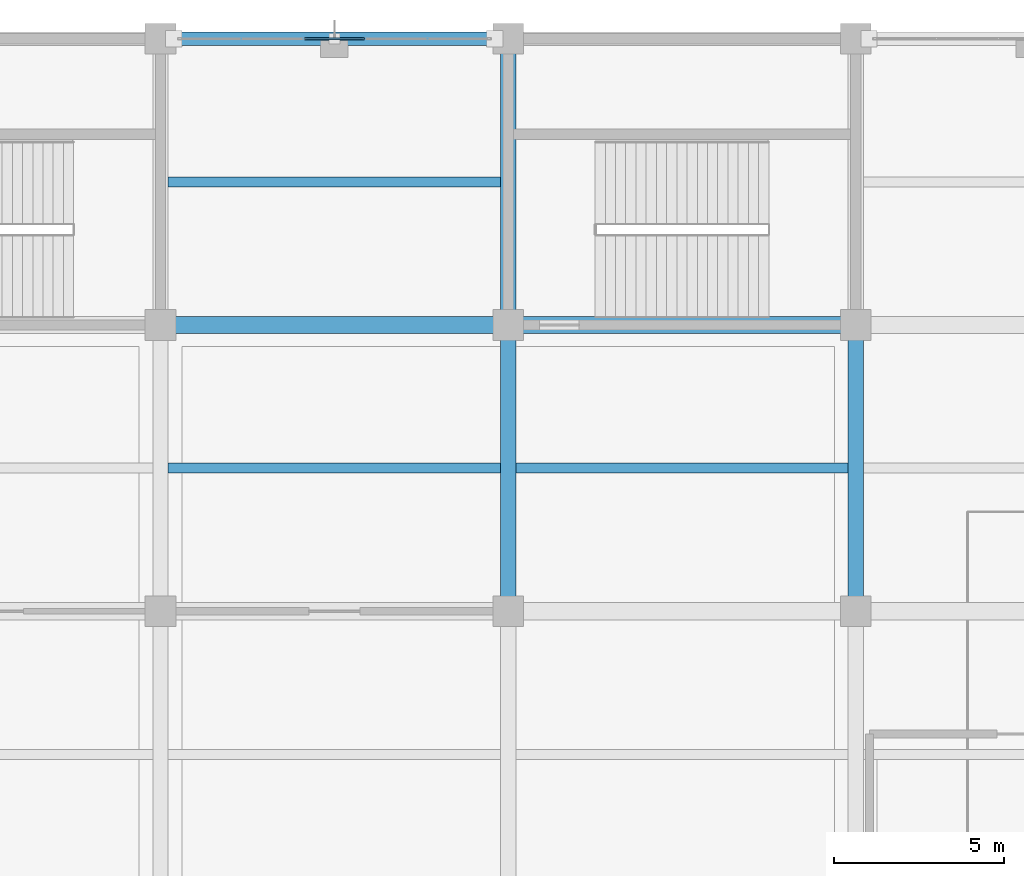
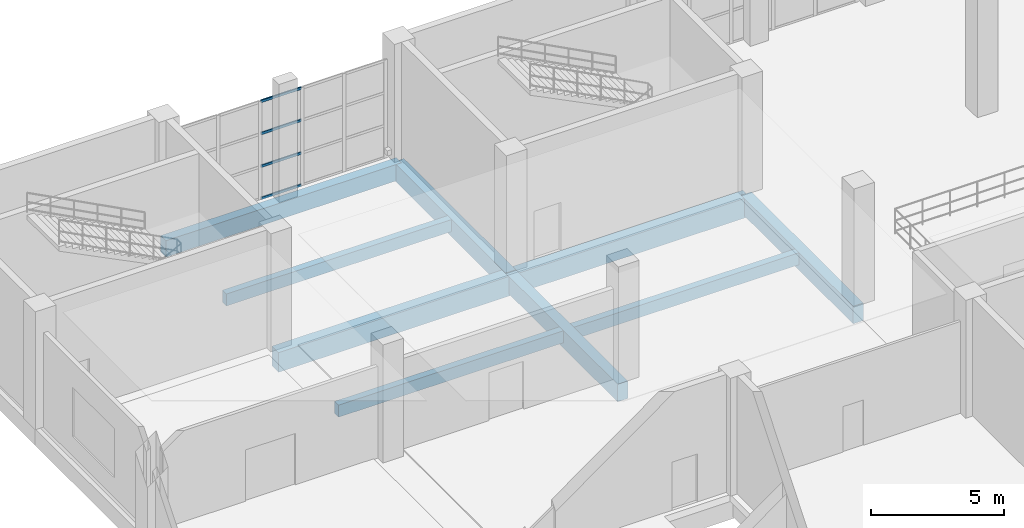
# One storey, part 85 of 175: 9 beams, 4 members, 1 element without a shape of its own.
"""IFC4 building model written with IfcOpenShell, lengths in metres."""

from ifc_helpers import new_model, si_unit, direction, frame, origin, origin_2d, place, context, subcontext, project, spatial, rectangle, hollow_rectangle, extrude, material, material_profile, profile_set, type_object, element, aggregate, save


model = new_model("IFC4")

# Units and contexts
model_context = context("Model", 3, precision=1e-05, world=origin(), true_north=direction((0.0, 1.0)))
body_context = subcontext(model_context, "Body", "Model", "MODEL_VIEW")
ifc_project = project(units=[si_unit("LENGTHUNIT", "METRE"), si_unit("AREAUNIT", "SQUARE_METRE"), si_unit("VOLUMEUNIT", "CUBIC_METRE"), si_unit("PLANEANGLEUNIT", "RADIAN"), si_unit("MASSUNIT", "GRAM", prefix="KILO")], contexts=[model_context])

# Site, building, storey
site_placement = place(None, origin())
site = spatial("IfcSite", under=ifc_project, at=site_placement, CompositionType="ELEMENT")
building_placement = place(site_placement, origin())
building = spatial("IfcBuilding", under=site, at=building_placement, Name="Brelvane Convention Centre", CompositionType="ELEMENT")
storey_placement = place(building_placement, frame((0.0, 0.0, 5.39990234375)))
storey = spatial("IfcBuildingStorey", under=building, at=storey_placement, Name="L01", CompositionType="ELEMENT", Elevation=5.39990234375)

# Curtain wall, members
ifc_material_1 = material(Name="Anodised Aluminium Alloy 6063-T6", Category="aluminium")
curtain_wall_type = type_object("IfcCurtainWallType", Name="Curtain Wall CW-BOUL", PredefinedType="USERDEFINED", material=ifc_material_1)
curtain_wall_placement = place(storey_placement, origin())
curtain_wall = element("IfcCurtainWall", 1, at=curtain_wall_placement, inside=storey, type_object=curtain_wall_type, Name="Curtain Wall CW-BOUL L01-V4N-02", ObjectType="UNITISED", PredefinedType="USERDEFINED")
ifc_material_2 = material(Name="Anodised Aluminium Alloy 6063-T6", Category="aluminium")
ifc_material_profile_1 = material_profile(ifc_material_2, hollow_rectangle(XDim=0.06005859375, YDim=0.1201171875, WallThickness=0.00390625, InnerFilletRadius=0.00390625, OuterFilletRadius=0.008056640625, at=origin_2d()), Name="ALU-T 120x60x4.0")
ifc_profile_set_1 = profile_set([ifc_material_profile_1], Name="Anodised Aluminium Alloy 6063-T6")
member_type = type_object("IfcMemberType", Name="Curtain Transom CW-T3", PredefinedType="USERDEFINED", material=ifc_profile_set_1)
member_1_placement = place(storey_placement, frame((14.422607421875, 144.0, 0.030029296875), z_axis=(1.0, 0.0, 0.0), x_axis=(0.0, 1.0, 0.0)))
member_1 = element("IfcMember", 2, at=member_1_placement, type_object=member_type, Name="CW-BOUL transom 3.1", ObjectType="TRANSOM", PredefinedType="USERDEFINED", context=body_context, shape_type="SweptSolid", body=[
    extrude(hollow_rectangle(XDim=0.06005859375, YDim=0.1201171875, WallThickness=0.00390625, InnerFilletRadius=0.00390625, OuterFilletRadius=0.008056640625, at=origin_2d()), origin(), (0.0, 0.0, 1.0), 1.7548828125),
])
member_2_placement = place(storey_placement, frame((14.422607421875, 144.0, 1.5), z_axis=(1.0, 0.0, 0.0), x_axis=(0.0, 1.0, 0.0)))
member_2 = element("IfcMember", 3, at=member_2_placement, type_object=member_type, Name="CW-BOUL transom 3.2", ObjectType="TRANSOM", PredefinedType="USERDEFINED", context=body_context, shape_type="SweptSolid", body=[
    extrude(hollow_rectangle(XDim=0.06005859375, YDim=0.1201171875, WallThickness=0.00390625, InnerFilletRadius=0.00390625, OuterFilletRadius=0.008056640625, at=origin_2d()), origin(), (0.0, 0.0, 1.0), 1.7548828125),
])
member_3_placement = place(storey_placement, frame((14.422607421875, 144.0, 3.0), z_axis=(1.0, 0.0, 0.0), x_axis=(0.0, 1.0, 0.0)))
member_3 = element("IfcMember", 4, at=member_3_placement, type_object=member_type, Name="CW-BOUL transom 3.3", ObjectType="TRANSOM", PredefinedType="USERDEFINED", context=body_context, shape_type="SweptSolid", body=[
    extrude(hollow_rectangle(XDim=0.06005859375, YDim=0.1201171875, WallThickness=0.00390625, InnerFilletRadius=0.00390625, OuterFilletRadius=0.008056640625, at=origin_2d()), origin(), (0.0, 0.0, 1.0), 1.7548828125),
])
member_4_placement = place(storey_placement, frame((14.422607421875, 144.0, 4.47021484375), z_axis=(1.0, 0.0, 0.0), x_axis=(0.0, 1.0, 0.0)))
member_4 = element("IfcMember", 5, at=member_4_placement, type_object=member_type, Name="CW-BOUL transom 3.4", ObjectType="TRANSOM", PredefinedType="USERDEFINED", context=body_context, shape_type="SweptSolid", body=[
    extrude(hollow_rectangle(XDim=0.06005859375, YDim=0.1201171875, WallThickness=0.00390625, InnerFilletRadius=0.00390625, OuterFilletRadius=0.008056640625, at=origin_2d()), origin(), (0.0, 0.0, 1.0), 1.7548828125),
])
aggregate(curtain_wall, [member_1, member_2, member_3, member_4])

# Beams
ifc_material_3 = material(Name="Concrete M40", Category="concrete")
ifc_material_profile_2 = material_profile(ifc_material_3, rectangle(XDim=0.5, YDim=0.89990234375, at=origin_2d()), Name="RC 500x900")
ifc_profile_set_2 = profile_set([ifc_material_profile_2], Name="Concrete M40")
beam_type_1 = type_object("IfcBeamType", Name="RC Beam B-RC4 (RC 500x900)", PredefinedType="BEAM", material=ifc_profile_set_2)
beam_1_placement = place(storey_placement, frame((10.199951171875, 135.60009765625, -0.77001953125), z_axis=(1.0, 0.0, 0.0), x_axis=(0.0, 1.0, 0.0)))
element("IfcBeam", 6, at=beam_1_placement, inside=storey, type_object=beam_type_1, Name="L01 Beam 2-3/P", PredefinedType="BEAM", context=body_context, shape_type="SweptSolid", body=[
    extrude(rectangle(XDim=0.5, YDim=0.89990234375, at=origin_2d()), origin(), (0.0, 0.0, 1.0), 10.199951171875),
])
beam_2_placement = place(storey_placement, frame((20.39990234375, 135.60009765625, -0.77001953125), z_axis=(1.0, 0.0, 0.0), x_axis=(0.0, 1.0, 0.0)))
element("IfcBeam", 7, at=beam_2_placement, inside=storey, type_object=beam_type_1, Name="L01 Beam 3-4/P", PredefinedType="BEAM", context=body_context, shape_type="SweptSolid", body=[
    extrude(rectangle(XDim=0.5, YDim=0.89990234375, at=origin_2d()), origin(), (0.0, 0.0, 1.0), 10.2001953125),
])
ifc_material_4 = material(Name="Concrete M40", Category="concrete")
ifc_material_profile_3 = material_profile(ifc_material_4, rectangle(XDim=0.449951171875, YDim=0.800048828125, at=origin_2d()), Name="RC 450x800")
ifc_profile_set_3 = profile_set([ifc_material_profile_3], Name="Concrete M40")
beam_type_2 = type_object("IfcBeamType", Name="RC Beam B-RC5 (RC 450x800)", PredefinedType="BEAM", material=ifc_profile_set_3)
beam_3_placement = place(storey_placement, frame((20.39990234375, 127.199951171875, -0.719970703125), z_axis=(0.0, 1.0, 0.0), x_axis=(-1.0, 0.0, 0.0)))
element("IfcBeam", 8, at=beam_3_placement, inside=storey, type_object=beam_type_2, Name="L01 Girder 3/N-P", PredefinedType="BEAM", context=body_context, shape_type="SweptSolid", body=[
    extrude(rectangle(XDim=0.449951171875, YDim=0.800048828125, at=origin_2d()), origin(), (0.0, 0.0, 1.0), 8.400146484375),
])
beam_4_placement = place(storey_placement, frame((20.39990234375, 135.60009765625, -0.719970703125), z_axis=(0.0, 1.0, 0.0), x_axis=(-1.0, 0.0, 0.0)))
element("IfcBeam", 9, at=beam_4_placement, inside=storey, type_object=beam_type_2, Name="L01 Girder 3/P-Q", PredefinedType="BEAM", context=body_context, shape_type="SweptSolid", body=[
    extrude(rectangle(XDim=0.449951171875, YDim=0.800048828125, at=origin_2d()), origin(), (0.0, 0.0, 1.0), 8.39990234375),
])
beam_5_placement = place(storey_placement, frame((30.60009765625, 127.199951171875, -0.719970703125), z_axis=(0.0, 1.0, 0.0), x_axis=(-1.0, 0.0, 0.0)))
element("IfcBeam", 10, at=beam_5_placement, inside=storey, type_object=beam_type_2, Name="L01 Girder 4/N-P", PredefinedType="BEAM", context=body_context, shape_type="SweptSolid", body=[
    extrude(rectangle(XDim=0.449951171875, YDim=0.800048828125, at=origin_2d()), origin(), (0.0, 0.0, 1.0), 8.400146484375),
])
ifc_material_5 = material(Name="Concrete M40", Category="concrete")
ifc_material_profile_4 = material_profile(ifc_material_5, rectangle(XDim=0.300048828125, YDim=0.550048828125, at=origin_2d()), Name="RC 300x550")
ifc_profile_set_4 = profile_set([ifc_material_profile_4], Name="Concrete M40")
beam_type_3 = type_object("IfcBeamType", Name="RC Joist J-RC1 (RC 300x550)", PredefinedType="JOIST", material=ifc_profile_set_4)
for number, where, z_axis, x_axis, name in (
    (11, (10.425048828125, 131.39990234375, -0.594970703125), (1.0, 0.0, 0.0), (0.0, 1.0, 0.0), "L01 Secondary Joist 2-3/NP"),
    (12, (10.425048828125, 139.800048828125, -0.594970703125), (1.0, 0.0, 0.0), (0.0, 1.0, 0.0), "L01 Secondary Joist 2-3/PQ"),
    (13, (20.625, 131.39990234375, -0.594970703125), (1.0, 0.0, 0.0), (0.0, 1.0, 0.0), "L01 Secondary Joist 3-4/NP"),
):
    element("IfcBeam", number, at=place(storey_placement, frame(where, z_axis=z_axis, x_axis=x_axis)), inside=storey, type_object=beam_type_3, Name=name, PredefinedType="JOIST", context=body_context, shape_type="SweptSolid", body=[
        extrude(rectangle(XDim=0.300048828125, YDim=0.550048828125, at=origin_2d()), origin(), (0.0, 0.0, 1.0), 9.75),
    ])
ifc_material_6 = material(Name="Concrete M40", Category="concrete")
ifc_material_profile_5 = material_profile(ifc_material_6, rectangle(XDim=0.39990234375, YDim=0.75, at=origin_2d()), Name="RC 400x750")
ifc_profile_set_5 = profile_set([ifc_material_profile_5], Name="Concrete M40")
beam_type_4 = type_object("IfcBeamType", Name="RC Spandrel SP-RC1 (RC 400x750)", PredefinedType="SPANDREL", material=ifc_profile_set_5)
beam_6_placement = place(storey_placement, frame((10.199951171875, 144.0, -0.69482421875), z_axis=(1.0, 0.0, 0.0), x_axis=(0.0, 1.0, 0.0)))
element("IfcBeam", 14, at=beam_6_placement, inside=storey, type_object=beam_type_4, Name="L01 Beam 2-3/Q", PredefinedType="SPANDREL", context=body_context, shape_type="SweptSolid", body=[
    extrude(rectangle(XDim=0.39990234375, YDim=0.75, at=origin_2d()), origin(), (0.0, 0.0, 1.0), 10.199951171875),
])

save(model, "model.ifc")
